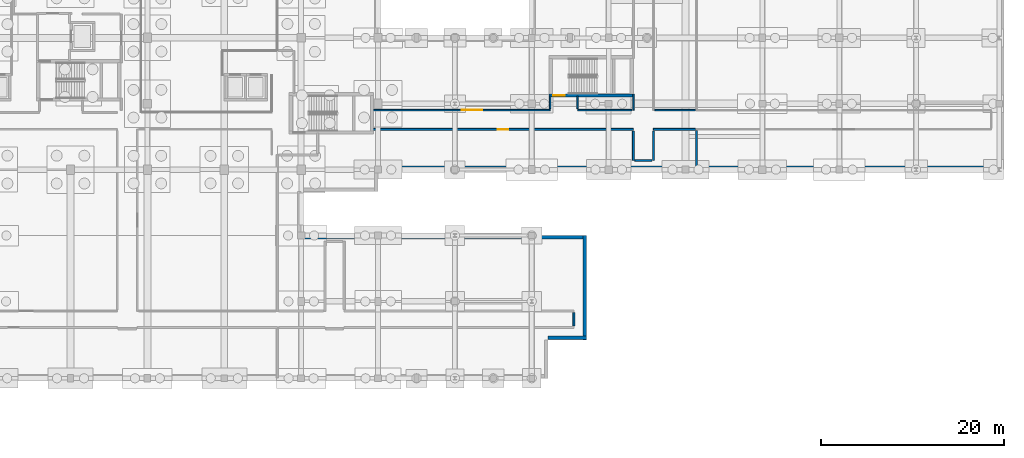
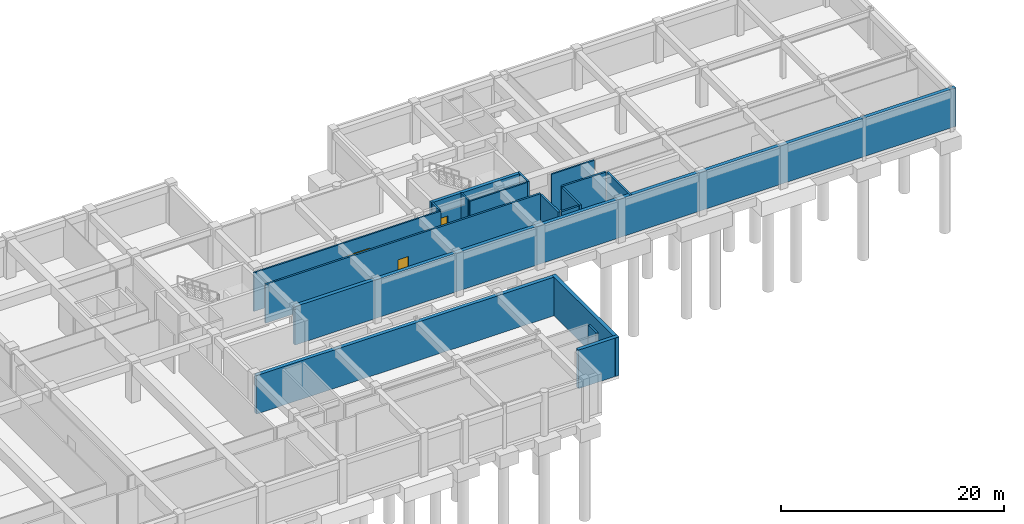
# One storey, part 32 of 42: 18 walls, 3 doors, 3 openings.
"""IFC4 building model written with IfcOpenShell, lengths in metres."""

from ifc_helpers import new_model, si_unit, direction, frame, frame_2d, origin, place, context, subcontext, project, spatial, rectangle, extrude, material, layer, layer_set, type_object, element, fill, save


model = new_model("IFC4")

# Units and contexts
model_context = context("Model", 3, precision=1e-05, world=origin(), true_north=direction((0.0, 1.0)))
body_context = subcontext(model_context, "Body", "Model", "MODEL_VIEW")
ifc_project = project(units=[si_unit("LENGTHUNIT", "METRE"), si_unit("AREAUNIT", "SQUARE_METRE"), si_unit("VOLUMEUNIT", "CUBIC_METRE"), si_unit("PLANEANGLEUNIT", "RADIAN"), si_unit("MASSUNIT", "GRAM", prefix="KILO")], contexts=[model_context])

# Site, building, storey
site_placement = place(None, origin())
site = spatial("IfcSite", under=ifc_project, at=site_placement, CompositionType="ELEMENT")
building_placement = place(site_placement, origin())
building = spatial("IfcBuilding", under=site, at=building_placement, Name="Quendrovan Civic Courthouse", CompositionType="ELEMENT")
storey_placement = place(building_placement, frame((0.0, 0.0, -4.5)))
storey = spatial("IfcBuildingStorey", under=building, at=storey_placement, Name="B1", CompositionType="ELEMENT", Elevation=-4.5)

# Walls
ifc_material_1 = material(Name="Concrete C35/45", Category="concrete")
ifc_layer_1 = layer(ifc_material_1, 0.3798828125, Name="Concrete C35/45")
ifc_layer_set_1 = layer_set([ifc_layer_1], Name="Concrete C35/45")
wall_type_1 = type_object("IfcWallType", Name="WL-BSM-RET380", PredefinedType="SOLIDWALL", material=ifc_layer_set_1)
wall_1_placement = place(storey_placement, frame((160.800048828125, 87.81005859375, 0.0), z_axis=(0.0, 0.0, 1.0), x_axis=(-1.0, 0.0, 0.0)))
element("IfcWall", 1, at=wall_1_placement, inside=storey, type_object=wall_type_1, Name="B1 Perimeter Retaining Wall 014", PredefinedType="SOLIDWALL", context=body_context, shape_type="SweptSolid", body=[
    extrude(rectangle(XDim=68.400146484375, YDim=0.3798828125, at=frame_2d((34.2001953125, 0.0))), origin(), (0.0, 0.0, 1.0), 4.219970703125),
])
wall_2_placement = place(storey_placement, frame((84.0, 80.18994140625, 0.0), z_axis=(0.0, 0.0, 1.0), x_axis=(1.0, 0.0, 0.0)))
element("IfcWall", 2, at=wall_2_placement, inside=storey, type_object=wall_type_1, Name="B1 Perimeter Retaining Wall 018", PredefinedType="SOLIDWALL", context=body_context, shape_type="SweptSolid", body=[
    extrude(rectangle(XDim=31.199951171875, YDim=0.3798828125, at=frame_2d((15.60009765625, 0.0))), origin(), (0.0, 0.0, 1.0), 4.219970703125),
])
wall_3_placement = place(storey_placement, frame((114.989990234375, 80.39990234375, 0.0), z_axis=(0.0, 0.0, 1.0), x_axis=(0.0, -1.0, 0.0)))
element("IfcWall", 3, at=wall_3_placement, inside=storey, type_object=wall_type_1, Name="B1 Perimeter Retaining Wall 019", PredefinedType="SOLIDWALL", context=body_context, shape_type="SweptSolid", body=[
    extrude(rectangle(XDim=11.39990234375, YDim=0.3798828125, at=frame_2d((5.699951171875, 0.0))), origin(), (0.0, 0.0, 1.0), 4.219970703125),
])
wall_4_placement = place(storey_placement, frame((115.199951171875, 69.2099609375, 0.0), z_axis=(0.0, 0.0, 1.0), x_axis=(-1.0, 0.0, 0.0)))
element("IfcWall", 4, at=wall_4_placement, inside=storey, type_object=wall_type_1, Name="B1 Perimeter Retaining Wall 020", PredefinedType="SOLIDWALL", context=body_context, shape_type="SweptSolid", body=[
    extrude(rectangle(XDim=4.199951171875, YDim=0.3798828125, at=frame_2d((2.10009765625, 0.0))), origin(), (0.0, 0.0, 1.0), 4.219970703125),
])

# Wall, opening, door
ifc_material_2 = material(Name="Fire-rated gypsum stud partition")
ifc_layer_2 = layer(ifc_material_2, 0.159912109375, Name="Fire-rated gypsum stud partition")
ifc_layer_set_2 = layer_set([ifc_layer_2], Name="Fire-rated gypsum stud partition")
wall_type_2 = type_object("IfcWallType", Name="WL-COR-160", PredefinedType="PARTITIONING", material=ifc_layer_set_2)
wall_5_placement = place(storey_placement, frame((111.199951171875, 94.10009765625, 0.0), z_axis=(0.0, 0.0, 1.0), x_axis=(-1.0, 0.0, 0.0)))
wall_5 = element("IfcWall", 5, at=wall_5_placement, inside=storey, type_object=wall_type_2, Name="B1 Building Mechanical Support Room Partition 0020", PredefinedType="PARTITIONING", context=body_context, shape_type="SweptSolid", body=[
    extrude(rectangle(XDim=19.3798828125, YDim=0.159912109375, at=frame_2d((9.68994140625, 0.0))), origin(), (0.0, 0.0, 1.0), 4.219970703125),
])
opening_1_placement = place(wall_5_placement, frame((7.38720703125, 0.0, 0.0)))
opening_1 = element("IfcOpeningElement", 6, at=opening_1_placement, cuts=wall_5, Name="Opening D-B1-026", PredefinedType="OPENING", context=body_context, shape_type="SweptSolid", body=[
    extrude(rectangle(XDim=2.280029296875, YDim=2.75, at=frame_2d((1.14013671875, 1.375))), frame((0.0, 0.08984375, 0.0), z_axis=(0.0, -1.0, 0.0), x_axis=(1.0, 0.0, 0.0)), (0.0, 0.0, 1.0), 0.179931640625),
])
ifc_material_3 = material(Name="Bronze-framed acoustic timber ceremonial door", Category="wood")
door_type_1 = type_object("IfcDoorType", Name="DR-CER-DBL2280", OperationType="NOTDEFINED", PredefinedType="DOOR", material=ifc_material_3)
door_1_placement = place(opening_1_placement, origin())
door_1 = element("IfcDoor", 7, at=door_1_placement, inside=storey, type_object=door_type_1, Name="B1 Building Mechanical Support Room Door D-B1-026", OperationType="SINGLE_SWING_LEFT", OverallHeight=2.75, OverallWidth=2.280029296875, PredefinedType="DOOR", context=body_context, shape_type="SweptSolid", body=[
    extrude(rectangle(XDim=2.280029296875, YDim=2.75, at=frame_2d((1.14013671875, 1.375))), frame((0.0, 0.02490234375, 0.0), z_axis=(0.0, -1.0, 0.0), x_axis=(1.0, 0.0, 0.0)), (0.0, 0.0, 1.0), 0.050048828125),
])
fill(opening_1, door_1)

# Walls
wall_6_placement = place(storey_placement, frame((120.300048828125, 95.85009765625, 0.0), z_axis=(0.0, 0.0, 1.0), x_axis=(0.0, -1.0, 0.0)))
element("IfcWall", 8, at=wall_6_placement, inside=storey, type_object=wall_type_2, Name="B1 Building Mechanical Support Room Partition 0028", PredefinedType="PARTITIONING", context=body_context, shape_type="SweptSolid", body=[
    extrude(rectangle(XDim=1.75, YDim=0.159912109375, at=frame_2d((0.875, 0.0))), origin(), (0.0, 0.0, 1.0), 4.219970703125),
])
wall_7_placement = place(storey_placement, frame((120.139892578125, 94.10009765625, 0.0), z_axis=(0.0, 0.0, 1.0), x_axis=(-1.0, 0.0, 0.0)))
element("IfcWall", 9, at=wall_7_placement, inside=storey, type_object=wall_type_2, Name="B1 Building Mechanical Support Room Partition 0059", PredefinedType="PARTITIONING", context=body_context, shape_type="SweptSolid", body=[
    extrude(rectangle(XDim=5.93994140625, YDim=0.159912109375, at=frame_2d((2.969970703125, 0.0))), origin(), (0.0, 0.0, 1.0), 4.219970703125),
])
wall_8_placement = place(storey_placement, frame((127.06494140625, 94.10009765625, 0.0), z_axis=(0.0, 0.0, 1.0), x_axis=(-1.0, 0.0, 0.0)))
element("IfcWall", 10, at=wall_8_placement, inside=storey, type_object=wall_type_2, Name="B1 Building Mechanical Support Room Partition 0075", PredefinedType="PARTITIONING", context=body_context, shape_type="SweptSolid", body=[
    extrude(rectangle(XDim=4.405029296875, YDim=0.159912109375, at=frame_2d((2.20263671875, 0.0))), origin(), (0.0, 0.0, 1.0), 4.219970703125),
])
for number, where, z_axis, x_axis, name in (
    (11, (114.199951171875, 94.260009765625, 0.0), (0.0, 0.0, 1.0), (0.0, 1.0, 0.0), "B1 Building Mechanical Support Room Partition 0147"),
    (12, (111.199951171875, 95.6298828125, 0.0), (0.0, 0.0, 1.0), (0.0, -1.0, 0.0), "B1 Building Mechanical Support Room Partition 0148"),
):
    element("IfcWall", number, at=place(storey_placement, frame(where, z_axis=z_axis, x_axis=x_axis)), inside=storey, type_object=wall_type_2, Name=name, PredefinedType="PARTITIONING", context=body_context, shape_type="SweptSolid", body=[
        extrude(rectangle(XDim=1.369873046875, YDim=0.159912109375, at=frame_2d((0.68505859375, 0.0))), origin(), (0.0, 0.0, 1.0), 4.219970703125),
    ])

# Wall, opening, door
ifc_material_4 = material(Name="Concrete C45/55", Category="concrete")
ifc_layer_3 = layer(ifc_material_4, 0.35009765625, Name="Concrete C45/55")
ifc_layer_set_3 = layer_set([ifc_layer_3], Name="Concrete C45/55")
wall_type_3 = type_object("IfcWallType", Name="WL-CORE-350", PredefinedType="SHEAR", material=ifc_layer_set_3)
wall_9_placement = place(storey_placement, frame((111.090087890625, 95.715087890625, 0.0), z_axis=(0.0, 0.0, 1.0), x_axis=(1.0, 0.0, 0.0)))
wall_9 = element("IfcWall", 13, at=wall_9_placement, inside=storey, type_object=wall_type_3, Name="B1 Core Shear Wall ST6-S", PredefinedType="SHEAR", context=body_context, shape_type="SweptSolid", body=[
    extrude(rectangle(XDim=9.219970703125, YDim=0.35009765625, at=frame_2d((4.60986328125, 0.0))), origin(), (0.0, 0.0, 1.0), 4.219970703125),
])
opening_2_placement = place(wall_9_placement, frame((0.449951171875, 0.0, 0.0)))
opening_2 = element("IfcOpeningElement", 14, at=opening_2_placement, cuts=wall_9, Name="Opening DS-ST6-B1", PredefinedType="OPENING", context=body_context, shape_type="SweptSolid", body=[
    extrude(rectangle(XDim=1.25, YDim=2.199951171875, at=frame_2d((0.625, 1.10009765625))), frame((0.0, 0.18505859375, 0.0), z_axis=(0.0, -1.0, 0.0), x_axis=(1.0, 0.0, 0.0)), (0.0, 0.0, 1.0), 0.3701171875),
])
ifc_material_5 = material(Name="Painted galvanized hollow-metal steel", Category="steel")
door_type_2 = type_object("IfcDoorType", Name="DR-STAIR-1250", OperationType="NOTDEFINED", PredefinedType="DOOR", material=ifc_material_5)
door_2_placement = place(opening_2_placement, origin())
door_2 = element("IfcDoor", 15, at=door_2_placement, inside=storey, type_object=door_type_2, Name="B1 Exit Stair ST6 Fire Door", OperationType="SINGLE_SWING_RIGHT", OverallHeight=2.199951171875, OverallWidth=1.25, PredefinedType="DOOR", context=body_context, shape_type="SweptSolid", body=[
    extrude(rectangle(XDim=1.25, YDim=2.199951171875, at=frame_2d((0.625, 1.10009765625))), frame((0.0, 0.02490234375, 0.0), z_axis=(0.0, -1.0, 0.0), x_axis=(1.0, 0.0, 0.0)), (0.0, 0.0, 1.0), 0.050048828125),
])
fill(opening_2, door_2)

ifc_material_6 = material(Name="Concrete C40/50", Category="concrete")
ifc_layer_4 = layer(ifc_material_6, 0.199951171875, Name="Concrete C40/50")
ifc_layer_set_4 = layer_set([ifc_layer_4], Name="Concrete C40/50")
wall_type_4 = type_object("IfcWallType", Name="WL-CUST-200", PredefinedType="PARTITIONING", material=ifc_layer_set_4)
wall_10_placement = place(storey_placement, frame((91.820068359375, 92.0, 0.0), z_axis=(0.0, 0.0, 1.0), x_axis=(1.0, 0.0, 0.0)))
wall_10 = element("IfcWall", 16, at=wall_10_placement, inside=storey, type_object=wall_type_4, Name="B1 Judicial Case Docket and Court Record Vault 2 Partition 0008", PredefinedType="PARTITIONING", context=body_context, shape_type="SweptSolid", body=[
    extrude(rectangle(XDim=28.47998046875, YDim=0.199951171875, at=frame_2d((14.239990234375, 0.0))), origin(), (0.0, 0.0, 1.0), 4.219970703125),
])
opening_3_placement = place(wall_10_placement, frame((13.679931640625, 0.0, 0.0)))
opening_3 = element("IfcOpeningElement", 17, at=opening_3_placement, cuts=wall_10, Name="Opening D-B1-018", PredefinedType="OPENING", context=body_context, shape_type="SweptSolid", body=[
    extrude(rectangle(XDim=1.1201171875, YDim=2.14990234375, at=frame_2d((0.56005859375, 1.074951171875))), frame((0.0, 0.10986328125, 0.0), z_axis=(0.0, -1.0, 0.0), x_axis=(1.0, 0.0, 0.0)), (0.0, 0.0, 1.0), 0.219970703125),
])
ifc_material_7 = material(Name="Heavy-gauge security steel door", Category="steel")
door_type_3 = type_object("IfcDoorType", Name="DR-CUST-1120", OperationType="NOTDEFINED", PredefinedType="DOOR", material=ifc_material_7)
door_3_placement = place(opening_3_placement, origin())
door_3 = element("IfcDoor", 18, at=door_3_placement, inside=storey, type_object=door_type_3, Name="B1 Judicial Case Docket and Court Record Vault 2 Door D-B1-018", OperationType="SINGLE_SWING_LEFT", OverallHeight=2.14990234375, OverallWidth=1.1201171875, PredefinedType="DOOR", context=body_context, shape_type="SweptSolid", body=[
    extrude(rectangle(XDim=1.1201171875, YDim=2.14990234375, at=frame_2d((0.56005859375, 1.074951171875))), frame((0.0, 0.02490234375, 0.0), z_axis=(0.0, -1.0, 0.0), x_axis=(1.0, 0.0, 0.0)), (0.0, 0.0, 1.0), 0.050048828125),
])
fill(opening_3, door_3)

# Walls
wall_11_placement = place(storey_placement, frame((122.5, 92.0, 0.0), z_axis=(0.0, 0.0, 1.0), x_axis=(1.0, 0.0, 0.0)))
element("IfcWall", 19, at=wall_11_placement, inside=storey, type_object=wall_type_4, Name="B1 Judicial Case Docket and Court Record Vault 2 Partition 0074", PredefinedType="PARTITIONING", context=body_context, shape_type="SweptSolid", body=[
    extrude(rectangle(XDim=4.56494140625, YDim=0.199951171875, at=frame_2d((2.282470703125, 0.0))), origin(), (0.0, 0.0, 1.0), 4.219970703125),
])
wall_12_placement = place(storey_placement, frame((127.199951171875, 91.864990234375, 0.0), z_axis=(0.0, 0.0, 1.0), x_axis=(0.0, -1.0, 0.0)))
element("IfcWall", 20, at=wall_12_placement, inside=storey, type_object=wall_type_4, Name="B1 Judicial Case Docket and Court Record Vault 2 Partition 0082", PredefinedType="PARTITIONING", context=body_context, shape_type="SweptSolid", body=[
    extrude(rectangle(XDim=4.205078125, YDim=0.199951171875, at=frame_2d((2.1025390625, 0.0))), origin(), (0.0, 0.0, 1.0), 4.219970703125),
])
for number, where, z_axis, x_axis, name in (
    (21, (120.300048828125, 91.820068359375, 0.0), (0.0, 0.0, 1.0), (0.0, -1.0, 0.0), "B1 Judicial Case Docket and Court Record Vault 2 Partition 0092"),
    (22, (122.5, 88.60009765625, 0.0), (0.0, 0.0, 1.0), (0.0, 1.0, 0.0), "B1 Judicial Case Docket and Court Record Vault 2 Partition 0093"),
):
    element("IfcWall", number, at=place(storey_placement, frame(where, z_axis=z_axis, x_axis=x_axis)), inside=storey, type_object=wall_type_4, Name=name, PredefinedType="PARTITIONING", context=body_context, shape_type="SweptSolid", body=[
        extrude(rectangle(XDim=3.219970703125, YDim=0.199951171875, at=frame_2d((1.60986328125, 0.0))), origin(), (0.0, 0.0, 1.0), 4.219970703125),
    ])
wall_13_placement = place(storey_placement, frame((120.47998046875, 88.60009765625, 0.0), z_axis=(0.0, 0.0, 1.0), x_axis=(1.0, 0.0, 0.0)))
element("IfcWall", 23, at=wall_13_placement, inside=storey, type_object=wall_type_4, Name="B1 Judicial Case Docket and Court Record Vault 2 Partition 0122", PredefinedType="PARTITIONING", context=body_context, shape_type="SweptSolid", body=[
    extrude(rectangle(XDim=1.840087890625, YDim=0.199951171875, at=frame_2d((0.919921875, 0.0))), origin(), (0.0, 0.0, 1.0), 4.219970703125),
])
wall_14_placement = place(storey_placement, frame((113.800048828125, 70.530029296875, 0.0), z_axis=(0.0, 0.0, 1.0), x_axis=(0.0, 1.0, 0.0)))
element("IfcWall", 24, at=wall_14_placement, inside=storey, type_object=wall_type_4, Name="B1 Judicial Case Docket and Court Record Vault 2 Partition 0144", PredefinedType="PARTITIONING", context=body_context, shape_type="SweptSolid", body=[
    extrude(rectangle(XDim=1.43994140625, YDim=0.199951171875, at=frame_2d((0.719970703125, 0.0))), origin(), (0.0, 0.0, 1.0), 4.219970703125),
])

save(model, "model.ifc")
